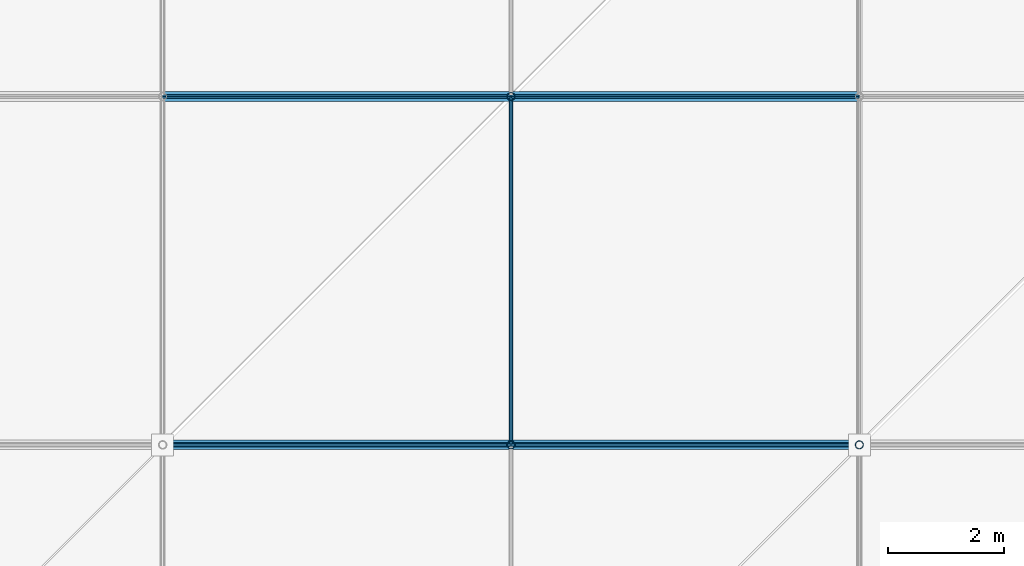
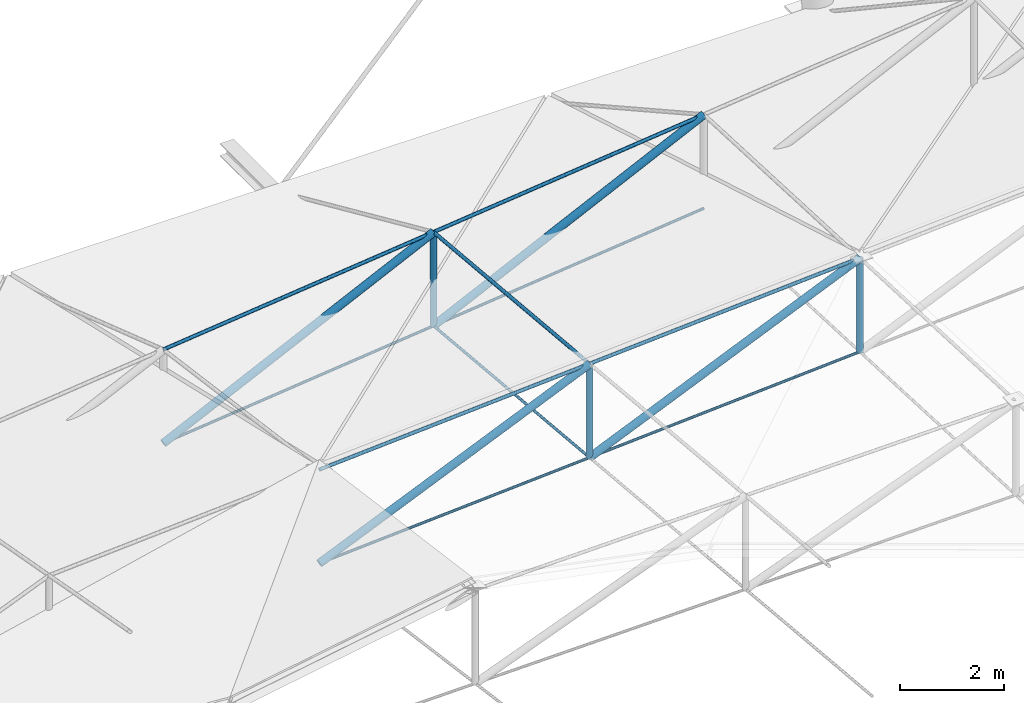
# One storey, part 29 of 132: 17 members.
"""IFC4 building model written with IfcOpenShell, lengths in metres."""

from ifc_helpers import new_model, si_unit, direction, frame, origin, origin_2d, place, context, subcontext, project, spatial, circle, hollow_circle, extrude, material, material_profile, profile_set, type_object, element, save


model = new_model("IFC4")

# Units and contexts
model_context = context("Model", 3, precision=1e-05, world=origin(), true_north=direction((0.0, 1.0)))
body_context = subcontext(model_context, "Body", "Model", "MODEL_VIEW")
ifc_project = project(units=[si_unit("LENGTHUNIT", "METRE"), si_unit("AREAUNIT", "SQUARE_METRE"), si_unit("VOLUMEUNIT", "CUBIC_METRE"), si_unit("PLANEANGLEUNIT", "RADIAN"), si_unit("MASSUNIT", "GRAM", prefix="KILO")], contexts=[model_context])

# Site, building, storey
site_placement = place(None, origin())
site = spatial("IfcSite", under=ifc_project, at=site_placement, CompositionType="ELEMENT")
building_placement = place(site_placement, origin())
building = spatial("IfcBuilding", under=site, at=building_placement, Name="Deido Ridge Mobility Hub", CompositionType="ELEMENT")
storey_placement = place(building_placement, frame((0.0, 0.0, 8.39990234375)))
storey = spatial("IfcBuildingStorey", under=building, at=storey_placement, Name="L02", CompositionType="ELEMENT", Elevation=8.39990234375)

# Members
ifc_material_1 = material(Name="Steel S460M EN 10025-4", Category="steel")
ifc_material_profile_1 = material_profile(ifc_material_1, circle(Radius=0.030029296875, at=origin_2d()), Name="CABLE D60")
ifc_profile_set_1 = profile_set([ifc_material_profile_1], Name="Steel S460M EN 10025-4")
member_type_1 = type_object("IfcMemberType", Name="MEM-CBL-D60", PredefinedType="USERDEFINED", material=ifc_profile_set_1)
for number, where, z_axis, x_axis, name in (
    (1, (12.0, 24.0, 0.650146484375), (0.997965676134, 0.0, 0.063753503887), (0.0, 1.0, 0.0), "Saddle lower stabilizing cable CB3"),
    (2, (18.0, 24.0, 1.033447265625), (0.997965676134, 0.0, 0.063753503887), (0.0, 1.0, 0.0), "Saddle lower stabilizing cable CB3"),
):
    element("IfcMember", number, at=place(storey_placement, frame(where, z_axis=z_axis, x_axis=x_axis)), inside=storey, type_object=member_type_1, Name=name, ObjectType="TENSION CABLE", PredefinedType="USERDEFINED", context=body_context, shape_type="SweptSolid", body=[
        extrude(circle(Radius=0.030029296875, at=origin_2d()), origin(), (0.0, 0.0, 1.0), 6.01220703125),
    ])
for number, where, z_axis, x_axis, name in (
    (3, (12.0, 30.0, -0.169921875), (0.994062945023, 0.0, 0.108806531661), (0.0, 1.0, 0.0), "Saddle lower stabilizing cable CB3"),
    (4, (18.0, 30.0, 0.48681640625), (0.994067319173, 0.0, 0.108766561737), (0.0, 1.0, 0.0), "Saddle lower stabilizing cable CB3"),
):
    element("IfcMember", number, at=place(storey_placement, frame(where, z_axis=z_axis, x_axis=x_axis)), inside=storey, type_object=member_type_1, Name=name, ObjectType="TENSION CABLE", PredefinedType="USERDEFINED", context=body_context, shape_type="SweptSolid", body=[
        extrude(circle(Radius=0.030029296875, at=origin_2d()), origin(), (0.0, 0.0, 1.0), 6.035888671875),
    ])
member_1_placement = place(storey_placement, frame((18.0, 24.0, 1.033447265625), z_axis=(0.0, 0.9958755837, -0.090729387691), x_axis=(-1.0, 0.0, 0.0)))
element("IfcMember", 5, at=member_1_placement, inside=storey, type_object=member_type_1, Name="Saddle transverse valley cable CB3", ObjectType="TENSION CABLE", PredefinedType="USERDEFINED", context=body_context, shape_type="SweptSolid", body=[
    extrude(circle(Radius=0.030029296875, at=origin_2d()), origin(), (0.0, 0.0, 1.0), 6.02490234375),
])
ifc_material_profile_2 = material_profile(ifc_material_1, circle(Radius=0.0380859375, at=origin_2d()), Name="CABLE D76")
ifc_profile_set_2 = profile_set([ifc_material_profile_2], Name="Steel S460M EN 10025-4")
member_type_2 = type_object("IfcMemberType", Name="MEM-CBL-D76", PredefinedType="USERDEFINED", material=ifc_profile_set_2)
for number, where, z_axis, x_axis, name in (
    (6, (12.0, 24.0, 2.85009765625), (0.997965676134, 0.0, 0.063753503887), (0.0, 1.0, 0.0), "Saddle upper longitudinal cable CB2"),
    (7, (18.0, 24.0, 3.2333984375), (0.997965676134, 0.0, 0.063753503887), (0.0, 1.0, 0.0), "Saddle upper longitudinal cable CB2"),
):
    element("IfcMember", number, at=place(storey_placement, frame(where, z_axis=z_axis, x_axis=x_axis)), inside=storey, type_object=member_type_2, Name=name, ObjectType="TENSION CABLE", PredefinedType="USERDEFINED", context=body_context, shape_type="SweptSolid", body=[
        extrude(circle(Radius=0.0380859375, at=origin_2d()), origin(), (0.0, 0.0, 1.0), 6.01220703125),
    ])
for number, where, z_axis, x_axis, name in (
    (8, (12.0, 30.0, 2.030029296875), (0.994062945023, 0.0, 0.108806531661), (0.0, 1.0, 0.0), "Saddle upper longitudinal cable CB2"),
    (9, (18.0, 30.0, 2.686767578125), (0.994062945023, 0.0, 0.108806531661), (0.0, 1.0, 0.0), "Saddle upper longitudinal cable CB2"),
):
    element("IfcMember", number, at=place(storey_placement, frame(where, z_axis=z_axis, x_axis=x_axis)), inside=storey, type_object=member_type_2, Name=name, ObjectType="TENSION CABLE", PredefinedType="USERDEFINED", context=body_context, shape_type="SweptSolid", body=[
        extrude(circle(Radius=0.0380859375, at=origin_2d()), origin(), (0.0, 0.0, 1.0), 6.035888671875),
    ])
member_2_placement = place(storey_placement, frame((18.0, 24.0, 3.2333984375), z_axis=(0.0, 0.9958755837, -0.090729387691), x_axis=(-1.0, 0.0, 0.0)))
element("IfcMember", 10, at=member_2_placement, inside=storey, type_object=member_type_2, Name="Saddle transverse ridge cable CB2", ObjectType="TENSION CABLE", PredefinedType="USERDEFINED", context=body_context, shape_type="SweptSolid", body=[
    extrude(circle(Radius=0.0380859375, at=origin_2d()), origin(), (0.0, 0.0, 1.0), 6.02490234375),
])
ifc_material_2 = material(Name="Steel S355J2H EN 10210-1", Category="steel")
ifc_material_profile_3 = material_profile(ifc_material_2, hollow_circle(Radius=0.06982421875, WallThickness=0.00634765625, at=origin_2d()), Name="CHS 139.7x6.3")
ifc_profile_set_3 = profile_set([ifc_material_profile_3], Name="Steel S355J2H EN 10210-1")
member_type_3 = type_object("IfcMemberType", Name="MEM-STR-CHS140", PredefinedType="STRUT", material=ifc_profile_set_3)
for number, where, z_axis, x_axis, name in (
    (11, (18.0, 24.0, 1.033447265625), (0.0, 0.0, 1.0), (1.0, 0.0, 0.0), "Cable-net vertical spreader strut SR2"),
    (12, (18.0, 30.0, 0.48681640625), (0.0, 0.0, 1.0), (1.0, 0.0, 0.0), "Cable-net vertical spreader strut SR2"),
    (13, (24.0, 24.0, 1.416748046875), (0.0, 0.0, 1.0), (1.0, 0.0, 0.0), "Cable-net vertical spreader strut SR2"),
):
    element("IfcMember", number, at=place(storey_placement, frame(where, z_axis=z_axis, x_axis=x_axis)), inside=storey, type_object=member_type_3, Name=name, PredefinedType="STRUT", context=body_context, shape_type="SweptSolid", body=[
        extrude(hollow_circle(Radius=0.06982421875, WallThickness=0.00634765625, at=origin_2d()), origin(), (0.0, 0.0, 1.0), 2.199951171875),
    ])
ifc_material_profile_4 = material_profile(ifc_material_2, hollow_circle(Radius=0.084228515625, WallThickness=0.008056640625, at=origin_2d()), Name="CHS 168.3x8")
ifc_profile_set_4 = profile_set([ifc_material_profile_4], Name="Steel S355J2H EN 10210-1")
member_type_4 = type_object("IfcMemberType", Name="MEM-STR-CHS168", PredefinedType="STRUT", material=ifc_profile_set_4)
for number, where, z_axis, x_axis, name in (
    (14, (12.0, 24.0, 0.650146484375), (0.91848843506, 0.0, 0.395447840632), (0.0, 1.0, 0.0), "Saddle diagonal web strut SR1"),
    (15, (18.0, 24.0, 1.033447265625), (0.91848843506, 0.0, 0.395447840632), (0.0, 1.0, 0.0), "Saddle diagonal web strut SR1"),
):
    element("IfcMember", number, at=place(storey_placement, frame(where, z_axis=z_axis, x_axis=x_axis)), inside=storey, type_object=member_type_4, Name=name, PredefinedType="STRUT", context=body_context, shape_type="SweptSolid", body=[
        extrude(hollow_circle(Radius=0.084228515625, WallThickness=0.008056640625, at=origin_2d()), origin(), (0.0, 0.0, 1.0), 6.532470703125),
    ])
for number, where, z_axis, x_axis, name in (
    (16, (12.0, 30.0, -0.169921875), (0.902887001475, 0.0, 0.429877962413), (0.0, 1.0, 0.0), "Saddle diagonal web strut SR1"),
    (17, (18.0, 30.0, 0.48681640625), (0.902887001475, 0.0, 0.429877962413), (0.0, 1.0, 0.0), "Saddle diagonal web strut SR1"),
):
    element("IfcMember", number, at=place(storey_placement, frame(where, z_axis=z_axis, x_axis=x_axis)), inside=storey, type_object=member_type_4, Name=name, PredefinedType="STRUT", context=body_context, shape_type="SweptSolid", body=[
        extrude(hollow_circle(Radius=0.084228515625, WallThickness=0.008056640625, at=origin_2d()), origin(), (0.0, 0.0, 1.0), 6.645263671875),
    ])

save(model, "model.ifc")
